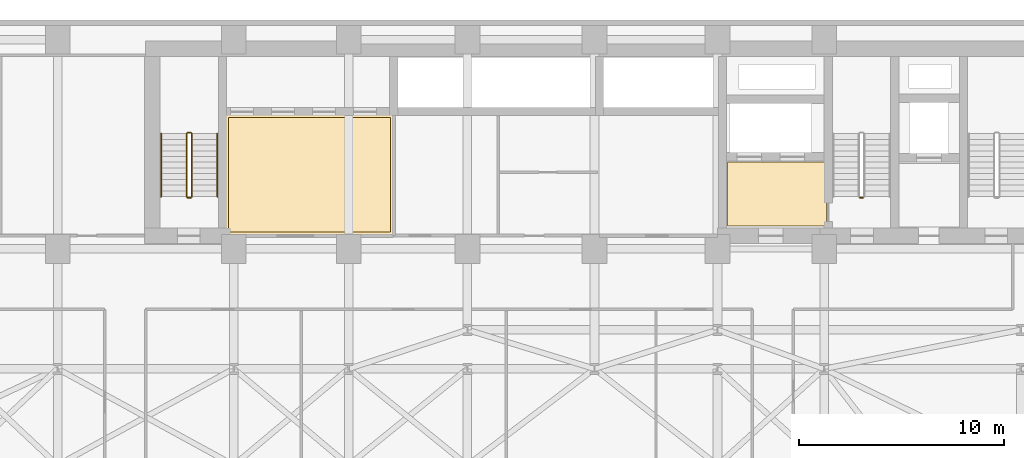
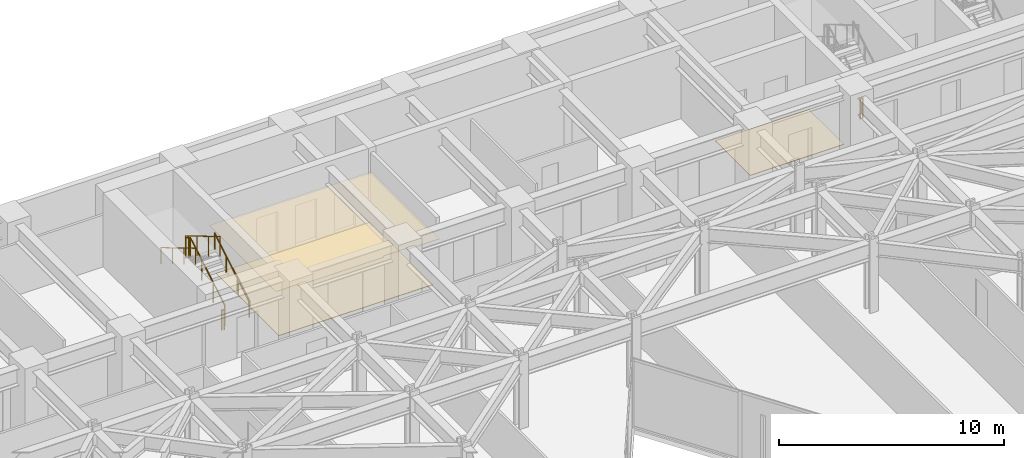
# One storey, part 24 of 25: 7 railings, 3 coverings.
"""IFC4 building model written with IfcOpenShell, lengths in metres."""

from ifc_helpers import new_model, si_unit, direction, frame, origin, origin_2d, place, context, subcontext, project, spatial, polyline, circle, outline, extrude, material, layer, layer_set, type_object, element, save


model = new_model("IFC4")

# Units and contexts
model_context = context("Model", 3, precision=1e-05, world=origin(), true_north=direction((0.0, 1.0)))
body_context = subcontext(model_context, "Body", "Model", "MODEL_VIEW")
ifc_project = project(units=[si_unit("LENGTHUNIT", "METRE"), si_unit("AREAUNIT", "SQUARE_METRE"), si_unit("VOLUMEUNIT", "CUBIC_METRE"), si_unit("PLANEANGLEUNIT", "RADIAN"), si_unit("MASSUNIT", "GRAM", prefix="KILO")], contexts=[model_context])

# Site, building, storey
site_placement = place(None, origin())
site = spatial("IfcSite", under=ifc_project, at=site_placement, CompositionType="ELEMENT")
building_placement = place(site_placement, origin())
building = spatial("IfcBuilding", under=site, at=building_placement, Name="Kravanh Interchange Tower", CompositionType="ELEMENT")
storey_placement = place(building_placement, frame((0.0, 0.0, 57.5)))
storey = spatial("IfcBuildingStorey", under=building, at=storey_placement, Name="L13", CompositionType="ELEMENT", Elevation=57.5)

# Coverings
ifc_material_1 = material(Name="Cementitious Terrazzo Tile")
ifc_layer_1 = layer(ifc_material_1, 0.030029296875)
ifc_layer_set_1 = layer_set([ifc_layer_1], Name="Honed Terrazzo Lobby Flooring 30mm")
covering_type_1 = type_object("IfcCoveringType", Name="Honed Terrazzo Lobby Flooring 30mm", PredefinedType="FLOORING", material=ifc_layer_set_1)
covering_1_placement = place(storey_placement, origin())
element("IfcCovering", 1, at=covering_1_placement, inside=storey, type_object=covering_type_1, Name="L13 Firefighting Lobby Floor Finish", PredefinedType="FLOORING", context=body_context, shape_type="SweptSolid", body=[
    extrude(outline(polyline([(56.1201171875, 38.4599609375), (51.300048828125, 38.4599609375), (51.300048828125, 41.580078125), (56.1201171875, 41.580078125), (56.1201171875, 38.4599609375)])), origin(), (0.0, 0.0, 1.0), 0.030029296875),
])
covering_2_placement = place(storey_placement, origin())
element("IfcCovering", 2, at=covering_2_placement, inside=storey, type_object=covering_type_1, Name="L13 Low-Rise Lift Lobby Floor Finish", PredefinedType="FLOORING", context=body_context, shape_type="SweptSolid", body=[
    extrude(outline(polyline([(26.929931640625, 43.77001953125), (34.840087890625, 43.77001953125), (34.840087890625, 38.179931640625), (26.929931640625, 38.179931640625), (26.929931640625, 43.77001953125)])), origin(), (0.0, 0.0, 1.0), 0.030029296875),
])
ifc_material_2 = material(Name="Acoustic Mineral Fibre Tile on Aluminium Grid", Category="aluminium")
ifc_layer_2 = layer(ifc_material_2, 0.02490234375)
ifc_layer_set_2 = layer_set([ifc_layer_2], Name="Perforated Acoustic Mineral Ceiling 25mm")
covering_type_2 = type_object("IfcCoveringType", Name="Perforated Acoustic Mineral Ceiling 25mm", PredefinedType="CEILING", material=ifc_layer_set_2)
covering_3_placement = place(storey_placement, frame((0.0, 0.0, 2.550048828125)))
element("IfcCovering", 3, at=covering_3_placement, inside=storey, type_object=covering_type_2, Name="L13 Low-Rise Lift Lobby Suspended Ceiling", PredefinedType="CEILING", context=body_context, shape_type="SweptSolid", body=[
    extrude(outline(polyline([(35.06005859375, 37.9599609375), (33.39990234375, 37.9599609375), (33.39990234375, 38.050048828125), (32.199951171875, 38.050048828125), (32.199951171875, 37.9599609375), (27.800048828125, 37.9599609375), (27.800048828125, 38.050048828125), (26.7099609375, 38.050048828125), (26.7099609375, 43.989990234375), (35.06005859375, 43.989990234375), (35.06005859375, 37.9599609375)])), origin(), (0.0, 0.0, 1.0), 0.02490234375),
])

# Railings
ifc_material_3 = material(Name="Structural Steel S355", Category="steel")
ifc_layer_3 = layer(ifc_material_3, 0.050048828125)
ifc_layer_set_3 = layer_set([ifc_layer_3], Name="Stair Well Guardrail Structural Steel S355 1100mm")
railing_type_1 = type_object("IfcRailingType", Name="Stair Well Guardrail Structural Steel S355 1100mm", PredefinedType="GUARDRAIL", material=ifc_layer_set_3)
railing_1_placement = place(storey_placement, frame((57.89990234375, 39.85009765625, 0.0)))
element("IfcRailing", 4, at=railing_1_placement, inside=storey, type_object=railing_type_1, Name="L13 ST2 stair guard 4", PredefinedType="GUARDRAIL", context=body_context, shape_type="SweptSolid", body=[
    extrude(circle(Radius=0.02392578125, at=origin_2d()), frame((0.0, 0.0, 1.076171875), z_axis=(-1.0, 0.0, 0.0), x_axis=(0.0, -1.0, 0.0)), (0.0, 0.0, 1.0), 0.14990234375),
    extrude(circle(Radius=0.02099609375, at=origin_2d()), origin(), (0.0, 0.0, 1.0), 1.052001953125),
    extrude(circle(Radius=0.02099609375, at=origin_2d()), frame((-0.14990234375, 0.0, 0.0)), (0.0, 0.0, 1.0), 1.052001953125),
])
railing_2_placement = place(storey_placement, frame((25.14990234375, 39.89990234375, 0.166748046875)))
element("IfcRailing", 5, at=railing_2_placement, inside=storey, type_object=railing_type_1, Name="L13 ST3 stair guard 1", PredefinedType="GUARDRAIL", context=body_context, shape_type="SweptSolid", body=[
    extrude(circle(Radius=0.02392578125, at=origin_2d()), frame((0.0, 0.0, 1.076171875), z_axis=(0.0, 0.859308565015, 0.511457515432), x_axis=(-1.0, 0.0, 0.0)), (0.0, 0.0, 1.0), 3.58447265625),
    extrude(circle(Radius=0.02099609375, at=origin_2d()), origin(), (0.0, 0.0, 1.0), 1.052001953125),
    extrude(circle(Radius=0.02099609375, at=origin_2d()), frame((0.0, 1.026611328125, 0.611083984375)), (0.0, 0.0, 1.0), 1.052001953125),
    extrude(circle(Radius=0.02099609375, at=origin_2d()), frame((0.0, 2.053466796875, 1.22216796875)), (0.0, 0.0, 1.0), 1.052001953125),
    extrude(circle(Radius=0.02099609375, at=origin_2d()), frame((0.0, 3.080078125, 1.833251953125)), (0.0, 0.0, 1.0), 1.052001953125),
])
railing_3_placement = place(storey_placement, frame((25.10009765625, 43.030029296875, 2.0)))
element("IfcRailing", 6, at=railing_3_placement, inside=storey, type_object=railing_type_1, Name="L13 ST3 stair guard 2", PredefinedType="GUARDRAIL", context=body_context, shape_type="SweptSolid", body=[
    extrude(circle(Radius=0.02392578125, at=origin_2d()), frame((0.0, 0.0, 1.076171875), z_axis=(-1.0, 0.0, 0.0), x_axis=(0.0, -1.0, 0.0)), (0.0, 0.0, 1.0), 0.150146484375),
    extrude(circle(Radius=0.02099609375, at=origin_2d()), origin(), (0.0, 0.0, 1.0), 1.052001953125),
    extrude(circle(Radius=0.02099609375, at=origin_2d()), frame((-0.150146484375, 0.0, 0.0)), (0.0, 0.0, 1.0), 1.052001953125),
])
railing_4_placement = place(storey_placement, frame((24.89990234375, 42.97998046875, 2.166748046875)))
element("IfcRailing", 7, at=railing_4_placement, inside=storey, type_object=railing_type_1, Name="L13 ST3 stair guard 3", PredefinedType="GUARDRAIL", context=body_context, shape_type="SweptSolid", body=[
    extrude(circle(Radius=0.02392578125, at=origin_2d()), frame((0.0, 0.0, 1.076171875), z_axis=(0.0, -0.859308565015, 0.511457515432), x_axis=(1.0, 0.0, 0.0)), (0.0, 0.0, 1.0), 3.58447265625),
    extrude(circle(Radius=0.02099609375, at=origin_2d()), origin(), (0.0, 0.0, 1.0), 1.052001953125),
    extrude(circle(Radius=0.02099609375, at=origin_2d()), frame((0.0, -1.026611328125, 0.611083984375)), (0.0, 0.0, 1.0), 1.052001953125),
    extrude(circle(Radius=0.02099609375, at=origin_2d()), frame((0.0, -2.053466796875, 1.22216796875)), (0.0, 0.0, 1.0), 1.052001953125),
    extrude(circle(Radius=0.02099609375, at=origin_2d()), frame((0.0, -3.080078125, 1.833251953125)), (0.0, 0.0, 1.0), 1.052001953125),
])
railing_5_placement = place(storey_placement, frame((25.10009765625, 39.85009765625, 0.0)))
element("IfcRailing", 8, at=railing_5_placement, inside=storey, type_object=railing_type_1, Name="L13 ST3 stair guard 4", PredefinedType="GUARDRAIL", context=body_context, shape_type="SweptSolid", body=[
    extrude(circle(Radius=0.02392578125, at=origin_2d()), frame((0.0, 0.0, 1.076171875), z_axis=(-1.0, 0.0, 0.0), x_axis=(0.0, -1.0, 0.0)), (0.0, 0.0, 1.0), 0.150146484375),
    extrude(circle(Radius=0.02099609375, at=origin_2d()), origin(), (0.0, 0.0, 1.0), 1.052001953125),
    extrude(circle(Radius=0.02099609375, at=origin_2d()), frame((-0.150146484375, 0.0, 0.0)), (0.0, 0.0, 1.0), 1.052001953125),
])
ifc_material_4 = material(Name="Stainless Steel 304", Category="steel")
ifc_layer_4 = layer(ifc_material_4, 0.044921875)
ifc_layer_set_4 = layer_set([ifc_layer_4], Name="Tubular Stair Handrail Stainless 304 900mm")
railing_type_2 = type_object("IfcRailingType", Name="Tubular Stair Handrail Stainless 304 900mm", PredefinedType="HANDRAIL", material=ifc_layer_set_4)
railing_6_placement = place(storey_placement, frame((26.39990234375, 39.89990234375, 0.166748046875)))
element("IfcRailing", 9, at=railing_6_placement, inside=storey, type_object=railing_type_2, Name="L13 ST3 stair handrail 1", PredefinedType="HANDRAIL", context=body_context, shape_type="SweptSolid", body=[
    extrude(circle(Radius=0.02392578125, at=origin_2d()), frame((0.0, 0.0, 0.8759765625), z_axis=(0.0, 0.859308565015, 0.511457515432), x_axis=(-1.0, 0.0, 0.0)), (0.0, 0.0, 1.0), 3.58447265625),
    extrude(circle(Radius=0.02099609375, at=origin_2d()), origin(), (0.0, 0.0, 1.0), 0.851806640625),
    extrude(circle(Radius=0.02099609375, at=origin_2d()), frame((0.0, 1.026611328125, 0.611083984375)), (0.0, 0.0, 1.0), 0.851806640625),
    extrude(circle(Radius=0.02099609375, at=origin_2d()), frame((0.0, 2.053466796875, 1.22216796875)), (0.0, 0.0, 1.0), 0.851806640625),
    extrude(circle(Radius=0.02099609375, at=origin_2d()), frame((0.0, 3.080078125, 1.833251953125)), (0.0, 0.0, 1.0), 0.851806640625),
])
railing_7_placement = place(storey_placement, frame((23.64990234375, 42.97998046875, 2.166748046875)))
element("IfcRailing", 10, at=railing_7_placement, inside=storey, type_object=railing_type_2, Name="L13 ST3 stair handrail 2", PredefinedType="HANDRAIL", context=body_context, shape_type="SweptSolid", body=[
    extrude(circle(Radius=0.02392578125, at=origin_2d()), frame((0.0, 0.0, 0.8759765625), z_axis=(0.0, -0.859308565015, 0.511457515432), x_axis=(1.0, 0.0, 0.0)), (0.0, 0.0, 1.0), 3.58447265625),
    extrude(circle(Radius=0.02099609375, at=origin_2d()), origin(), (0.0, 0.0, 1.0), 0.851806640625),
    extrude(circle(Radius=0.02099609375, at=origin_2d()), frame((0.0, -1.026611328125, 0.611083984375)), (0.0, 0.0, 1.0), 0.851806640625),
    extrude(circle(Radius=0.02099609375, at=origin_2d()), frame((0.0, -2.053466796875, 1.22216796875)), (0.0, 0.0, 1.0), 0.851806640625),
    extrude(circle(Radius=0.02099609375, at=origin_2d()), frame((0.0, -3.080078125, 1.833251953125)), (0.0, 0.0, 1.0), 0.851806640625),
])

save(model, "model.ifc")
